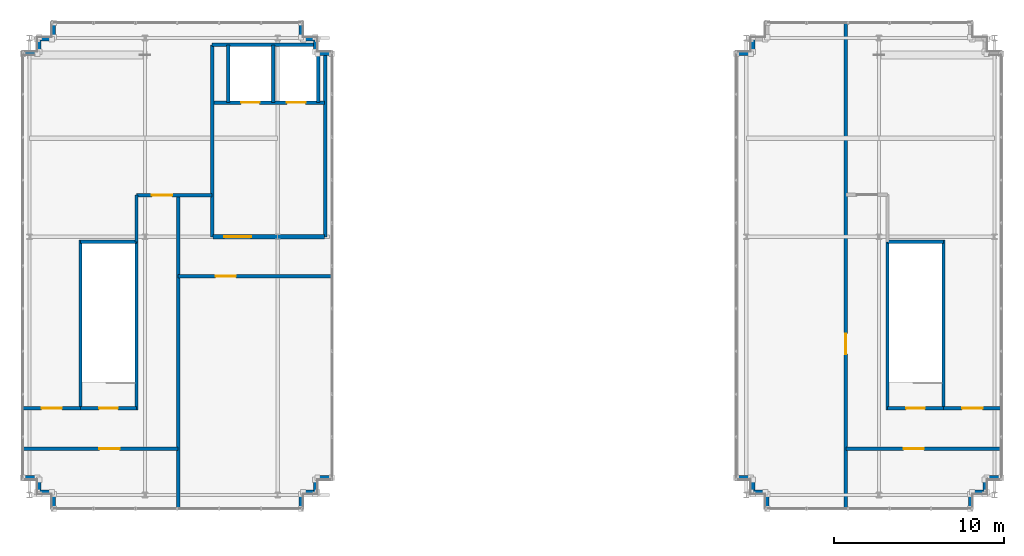
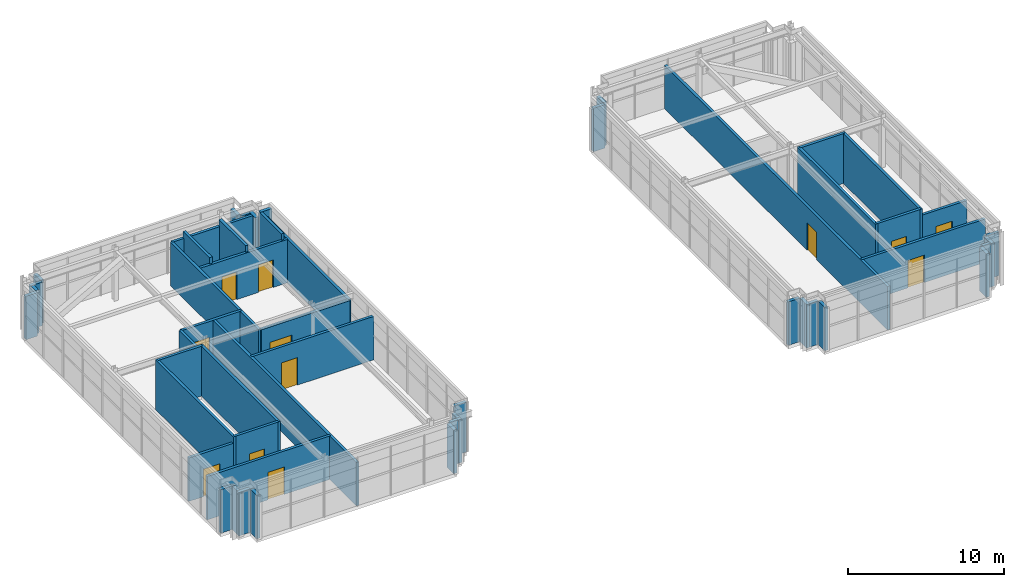
# One storey, part 23 of 25: 51 walls, 12 doors, 12 openings.
"""IFC4 building model written with IfcOpenShell, lengths in metres."""

import ifcopenshell
import ifcopenshell.guid

model = None  # the IFC model being written
_history = None  # IfcOwnerHistory: only IFC2X3 demands one
_inside = {}  # id of a spatial element -> (the spatial element, [elements in it])
_under = {}  # id of a project, library or spatial element -> (it, [spatial elements below it])
_declared = {}  # id of a project -> (the project, [libraries it declares])
_typed = {}  # id of a type object -> (the type object, [elements of that type])
_made_of = {}  # id of a material, layer set ... -> (it, [elements and type objects made of it])


def new_model(schema):
    """Start an empty IFC model of exactly this schema.

    Asked for "IFC4X3", IfcOpenShell would pick the latest addendum, in which some entities
    have other attributes; the version numbers below select the first issue.
    IFC2X3 requires an IfcOwnerHistory on every rooted entity: one is made here for all.
    """
    global model, _history
    if schema == "IFC4X3":
        model = ifcopenshell.file(schema_version=(4, 3, 0, 0))
    else:
        model = ifcopenshell.file(schema=schema)
    _inside.clear()
    _under.clear()
    _declared.clear()
    _typed.clear()
    _made_of.clear()
    _history = None
    if model.schema == "IFC2X3":
        org = make("IfcOrganization", Name="unknown")
        user = make(
            "IfcPersonAndOrganization",
            ThePerson=make("IfcPerson", FamilyName="unknown"),
            TheOrganization=org,
        )
        app = make(
            "IfcApplication",
            ApplicationDeveloper=org,
            Version="unknown",
            ApplicationFullName="unknown",
            ApplicationIdentifier="unknown",
        )
        _history = make(
            "IfcOwnerHistory",
            OwningUser=user,
            OwningApplication=app,
            ChangeAction="ADDED",
            CreationDate=0,
        )
    return model


def make(cls, **values):
    """One entity of the class cls with the attributes given. An attribute that is None is left unset."""
    return model.create_entity(
        cls, **{name: value for name, value in values.items() if value is not None}
    )


def rooted(cls, **values):
    """An entity with a GlobalId (a new one), such as an element, a storey or a relation."""
    return make(cls, GlobalId=ifcopenshell.guid.new(), OwnerHistory=_history, **values)


def si_unit(unit_type, name, prefix=None):
    """IfcSIUnit, for example si_unit("LENGTHUNIT", "METRE", prefix="MILLI")."""
    return make("IfcSIUnit", UnitType=unit_type, Prefix=prefix, Name=name)


def assignment(units):
    """IfcUnitAssignment: the units of a project."""
    return None if units is None else make("IfcUnitAssignment", Units=units)


def point(xyz):
    """IfcCartesianPoint."""
    return None if xyz is None else make("IfcCartesianPoint", Coordinates=xyz)


def direction(xyz):
    """IfcDirection."""
    return None if xyz is None else make("IfcDirection", DirectionRatios=xyz)


def frame(location, z_axis=None, x_axis=None):
    """IfcAxis2Placement3D, a coordinate frame: its origin and axes. An axis left out is left unset."""
    return make(
        "IfcAxis2Placement3D",
        Location=point(location),
        Axis=direction(z_axis),
        RefDirection=direction(x_axis),
    )


def frame_2d(location, x_axis=None):
    """IfcAxis2Placement2D, a coordinate frame in the plane: its origin and x axis."""
    return make(
        "IfcAxis2Placement2D", Location=point(location), RefDirection=direction(x_axis)
    )


def origin():
    """The frame at (0, 0, 0) with its axes left unset."""
    return frame((0.0, 0.0, 0.0))


def place(relative_to, where):
    """IfcLocalPlacement: puts the frame where relative to a parent placement (None: the world)."""
    return make(
        "IfcLocalPlacement", PlacementRelTo=relative_to, RelativePlacement=where
    )


def context(
    kind, dimensions, precision=None, world=None, true_north=None, identifier=None
):
    """IfcGeometricRepresentationContext, for example the 3D "Model" context."""
    return make(
        "IfcGeometricRepresentationContext",
        ContextIdentifier=identifier,
        ContextType=kind,
        CoordinateSpaceDimension=dimensions,
        Precision=precision,
        WorldCoordinateSystem=world,
        TrueNorth=true_north,
    )


def subcontext(parent, identifier, kind, view, scale=None):
    """IfcGeometricRepresentationSubContext, for example "Body" below "Model"."""
    return make(
        "IfcGeometricRepresentationSubContext",
        ContextIdentifier=identifier,
        ContextType=kind,
        ParentContext=parent,
        TargetScale=scale,
        TargetView=view,
    )


def project(units=None, contexts=None):
    """IfcProject with its units and contexts."""
    return rooted(
        "IfcProject",
        Name="project",
        RepresentationContexts=contexts,
        UnitsInContext=assignment(units),
    )


def spatial(cls, under=None, at=None, **own):
    """A site, building, storey or space (cls), placed at a placement, below another one or the project."""
    s = rooted(cls, ObjectPlacement=at, **own)
    if under is not None:
        _under.setdefault(under.id(), (under, []))[1].append(s)
    return s


def profile(cls, at=None, kind="AREA", **sizes):
    """A parametric profile (cls). Its sizes go by their IFC names, for example OverallWidth=200.0."""
    return make(cls, ProfileType=kind, Position=at, **sizes)


def rectangle(**sizes):
    """IfcRectangleProfileDef."""
    return profile("IfcRectangleProfileDef", **sizes)


def extrude(swept, where, along, depth):
    """IfcExtrudedAreaSolid: the profile swept, set in the frame where, extruded along a direction by depth."""
    return make(
        "IfcExtrudedAreaSolid",
        SweptArea=swept,
        Position=where,
        ExtrudedDirection=direction(along),
        Depth=depth,
    )


def shape(context_of_items, identifier, shape_type, items):
    """IfcShapeRepresentation: the items that make up one representation, for example the "Body"."""
    return make(
        "IfcShapeRepresentation",
        ContextOfItems=context_of_items,
        RepresentationIdentifier=identifier,
        RepresentationType=shape_type,
        Items=items,
    )


def source(mapping_origin, context_of_items, identifier, shape_type, items):
    """IfcRepresentationMap: a shape defined once, which mapped items show again and again."""
    return make(
        "IfcRepresentationMap",
        MappingOrigin=mapping_origin,
        MappedRepresentation=shape(context_of_items, identifier, shape_type, items),
    )


def transform(
    local_origin,
    x_axis=None,
    y_axis=None,
    z_axis=None,
    scale=None,
    scale2=None,
    scale3=None,
    uniform=True,
):
    """IfcCartesianTransformationOperator3D, or its non-uniform kind. x_axis, y_axis, z_axis: its Axis1, 2, 3."""
    if uniform:
        return make(
            "IfcCartesianTransformationOperator3D",
            Axis1=direction(x_axis),
            Axis2=direction(y_axis),
            LocalOrigin=point(local_origin),
            Scale=scale,
            Axis3=direction(z_axis),
        )
    return make(
        "IfcCartesianTransformationOperator3DnonUniform",
        Axis1=direction(x_axis),
        Axis2=direction(y_axis),
        LocalOrigin=point(local_origin),
        Scale=scale,
        Axis3=direction(z_axis),
        Scale2=scale2,
        Scale3=scale3,
    )


def mapped(mapping_source, mapping_target):
    """IfcMappedItem: shows the shape of a source again, moved by a transform."""
    return make(
        "IfcMappedItem", MappingSource=mapping_source, MappingTarget=mapping_target
    )


def material(Name=None, Category=None):
    """IfcMaterial."""
    return make("IfcMaterial", Name=Name, Category=Category)


def layer(
    of_material, thickness, ventilated=None, Name=None, Category=None, Priority=None
):
    """IfcMaterialLayer: one layer of a wall or slab, of a material (None: an air gap)."""
    return make(
        "IfcMaterialLayer",
        Material=of_material,
        LayerThickness=thickness,
        IsVentilated=ventilated,
        Name=Name,
        Category=Category,
        Priority=Priority,
    )


def layer_set(layers, Name=None):
    """IfcMaterialLayerSet."""
    return make("IfcMaterialLayerSet", MaterialLayers=layers, LayerSetName=Name)


def made_of(thing, what):
    """Note that an element or type object is made of a material, layer set ...; save() writes the relation."""
    if what is not None:
        _made_of.setdefault(what.id(), (what, []))[1].append(thing)
    return thing


def type_object(cls, material=None, **own):
    """A type object (cls), such as IfcWallType, which elements share."""
    return made_of(rooted(cls, **own), material)


def element(
    cls,
    number,
    at=None,
    inside=None,
    cuts=None,
    type_object=None,
    material=None,
    context=None,
    identifier="Body",
    shape_type=None,
    held_by="IfcProductDefinitionShape",
    body=None,
    shapes=None,
    **own,
):
    """One element of the class cls, such as IfcWall. Its Tag is "e" and its number.

    at: its placement. inside: the storey or other place that contains it. cuts: it is an
    opening in that element (IfcRelVoidsElement). A single representation is given by context,
    identifier, shape_type and body (its items); several are given by shapes. held_by: the class
    of the entity that holds the representations. save() writes the other relations.
    """
    e = rooted(cls, Tag="e%d" % number, ObjectPlacement=at, **own)
    if body is not None:
        shapes = [shape(context, identifier, shape_type, body)]
    if shapes is not None:
        e.Representation = make(held_by, Representations=shapes)
    if inside is not None:
        _inside.setdefault(inside.id(), (inside, []))[1].append(e)
    if cuts is not None:
        rooted(
            "IfcRelVoidsElement", RelatingBuildingElement=cuts, RelatedOpeningElement=e
        )
    if type_object is not None:
        _typed.setdefault(type_object.id(), (type_object, []))[1].append(e)
    return made_of(e, material)


def fill(opening, filler):
    """IfcRelFillsElement: the door or window that sits in an opening."""
    return rooted(
        "IfcRelFillsElement",
        RelatingOpeningElement=opening,
        RelatedBuildingElement=filler,
    )


def aggregate(whole, parts):
    """IfcRelAggregates: a whole, such as a stair, and the parts it consists of."""
    return rooted("IfcRelAggregates", RelatingObject=whole, RelatedObjects=parts)


def save(model, path):
    """Write the relations noted so far, then the file.

    IfcRelAggregates (storeys below a building ...), IfcRelContainedInSpatialStructure (elements
    in a storey), IfcRelDefinesByType, IfcRelAssociatesMaterial and IfcRelDeclares: one each for
    every whole, place, type object, material and project.
    """
    for whole, parts in _under.values():
        aggregate(whole, parts)
    for where, things in _inside.values():
        rooted(
            "IfcRelContainedInSpatialStructure",
            RelatedElements=things,
            RelatingStructure=where,
        )
    for kind, things in _typed.values():
        rooted("IfcRelDefinesByType", RelatedObjects=things, RelatingType=kind)
    for what, things in _made_of.values():
        rooted("IfcRelAssociatesMaterial", RelatedObjects=things, RelatingMaterial=what)
    for by, libraries in _declared.values():
        rooted("IfcRelDeclares", RelatingContext=by, RelatedDefinitions=libraries)
    model.write(path)


model = new_model("IFC4")

# Units and contexts
model_context = context("Model", 3, precision=1e-05, world=origin(), true_north=direction((0.0, 1.0)))
body_context = subcontext(model_context, "Body", "Model", "MODEL_VIEW")
ifc_project = project(units=[si_unit("LENGTHUNIT", "METRE"), si_unit("AREAUNIT", "SQUARE_METRE"), si_unit("VOLUMEUNIT", "CUBIC_METRE"), si_unit("PLANEANGLEUNIT", "RADIAN"), si_unit("MASSUNIT", "GRAM", prefix="KILO")], contexts=[model_context])

# Site, building, storey
site_placement = place(None, origin())
site = spatial("IfcSite", under=ifc_project, at=site_placement, CompositionType="ELEMENT")
building_placement = place(site_placement, origin())
building = spatial("IfcBuilding", under=site, at=building_placement, Name="Trelvane Seafront Commons", CompositionType="ELEMENT")
storey_placement = place(building_placement, frame((0.0, 0.0, 320.89990234375)))
storey = spatial("IfcBuildingStorey", under=building, at=storey_placement, Name="L83", CompositionType="ELEMENT", Elevation=320.89990234375)

# Walls
ifc_material_1 = material(Name="Precast concrete C40/50", Category="concrete")
ifc_layer_1 = layer(ifc_material_1, 0.239990234375, Name="ARCH-WALL-EXT240")
ifc_layer_set_1 = layer_set([ifc_layer_1], Name="Precast concrete C40/50")
wall_type_1 = type_object("IfcWallType", Name="ARCH-WALL-EXT240", PredefinedType="SOLIDWALL", material=ifc_layer_set_1)
for number, where, z_axis, x_axis, name in (
    (1, (10.10009765625, 18.3701171875, 0.0), (0.0, 0.0, 1.0), (-1.0, 0.0, 0.0), "EW-L83-CRN-01791"),
    (2, (9.3701171875, 18.25, 0.0), (0.0, 0.0, 1.0), (0.0, 1.0, 0.0), "EW-L83-CRN-01792"),
    (3, (9.25, 19.219970703125, 0.0), (0.0, 0.0, 1.0), (-1.0, 0.0, 0.0), "EW-L83-CRN-01793"),
    (4, (8.39990234375, 44.179931640625, 0.0), (0.0, 0.0, 1.0), (1.0, 0.0, 0.0), "EW-L83-CRN-01794"),
):
    element("IfcWall", number, at=place(storey_placement, frame(where, z_axis=z_axis, x_axis=x_axis)), inside=storey, type_object=wall_type_1, Name=name, PredefinedType="SOLIDWALL", context=body_context, shape_type="SweptSolid", body=[
        extrude(rectangle(XDim=0.85009765625, YDim=0.239990234375, at=frame_2d((0.425048828125, 0.0))), origin(), (0.0, 0.0, 1.0), 3.400146484375),
    ])
wall_1_placement = place(storey_placement, frame((9.3701171875, 44.300048828125, 0.0), z_axis=(0.0, 0.0, 1.0), x_axis=(0.0, 1.0, 0.0)))
element("IfcWall", 5, at=wall_1_placement, inside=storey, type_object=wall_type_1, Name="EW-L83-CRN-01795", PredefinedType="SOLIDWALL", context=body_context, shape_type="SweptSolid", body=[
    extrude(rectangle(XDim=0.849853515625, YDim=0.239990234375, at=frame_2d((0.4248046875, 0.0))), origin(), (0.0, 0.0, 1.0), 3.400146484375),
])
for number, where, z_axis, x_axis, name in (
    (6, (9.25, 45.030029296875, 0.0), (0.0, 0.0, 1.0), (1.0, 0.0, 0.0), "EW-L83-CRN-01796"),
    (7, (10.219970703125, 45.14990234375, 0.0), (0.0, 0.0, 1.0), (0.0, 1.0, 0.0), "EW-L83-CRN-01797"),
    (8, (24.780029296875, 46.0, 0.0), (0.0, 0.0, 1.0), (0.0, -1.0, 0.0), "EW-L83-CRN-01798"),
    (9, (24.89990234375, 45.030029296875, 0.0), (0.0, 0.0, 1.0), (1.0, 0.0, 0.0), "EW-L83-CRN-01799"),
):
    element("IfcWall", number, at=place(storey_placement, frame(where, z_axis=z_axis, x_axis=x_axis)), inside=storey, type_object=wall_type_1, Name=name, PredefinedType="SOLIDWALL", context=body_context, shape_type="SweptSolid", body=[
        extrude(rectangle(XDim=0.85009765625, YDim=0.239990234375, at=frame_2d((0.425048828125, 0.0))), origin(), (0.0, 0.0, 1.0), 3.400146484375),
    ])
wall_2_placement = place(storey_placement, frame((25.6298828125, 45.14990234375, 0.0), z_axis=(0.0, 0.0, 1.0), x_axis=(0.0, -1.0, 0.0)))
element("IfcWall", 10, at=wall_2_placement, inside=storey, type_object=wall_type_1, Name="EW-L83-CRN-01800", PredefinedType="SOLIDWALL", context=body_context, shape_type="SweptSolid", body=[
    extrude(rectangle(XDim=0.849853515625, YDim=0.239990234375, at=frame_2d((0.4248046875, 0.0))), origin(), (0.0, 0.0, 1.0), 3.400146484375),
])
for number, where, z_axis, x_axis, name in (
    (11, (25.75, 44.179931640625, 0.0), (0.0, 0.0, 1.0), (1.0, 0.0, 0.0), "EW-L83-CRN-01801"),
    (12, (26.60009765625, 19.219970703125, 0.0), (0.0, 0.0, 1.0), (-1.0, 0.0, 0.0), "EW-L83-CRN-01802"),
):
    element("IfcWall", number, at=place(storey_placement, frame(where, z_axis=z_axis, x_axis=x_axis)), inside=storey, type_object=wall_type_1, Name=name, PredefinedType="SOLIDWALL", context=body_context, shape_type="SweptSolid", body=[
        extrude(rectangle(XDim=0.85009765625, YDim=0.239990234375, at=frame_2d((0.425048828125, 0.0))), origin(), (0.0, 0.0, 1.0), 3.900146484375),
    ])
for number, where, z_axis, x_axis, name in (
    (13, (25.6298828125, 19.10009765625, 0.0), (0.0, 0.0, 1.0), (0.0, -1.0, 0.0), "EW-L83-CRN-01803"),
    (14, (25.75, 18.3701171875, 0.0), (0.0, 0.0, 1.0), (-1.0, 0.0, 0.0), "EW-L83-CRN-01804"),
    (15, (24.780029296875, 18.25, 0.0), (0.0, 0.0, 1.0), (0.0, -1.0, 0.0), "EW-L83-CRN-01805"),
    (16, (10.219970703125, 17.39990234375, 0.0), (0.0, 0.0, 1.0), (0.0, 1.0, 0.0), "EW-L83-CRN-01806"),
    (17, (52.10009765625, 18.3701171875, 0.0), (0.0, 0.0, 1.0), (-1.0, 0.0, 0.0), "EW-L83-CRN-01807"),
    (18, (51.3701171875, 18.25, 0.0), (0.0, 0.0, 1.0), (0.0, 1.0, 0.0), "EW-L83-CRN-01808"),
    (19, (51.25, 19.219970703125, 0.0), (0.0, 0.0, 1.0), (-1.0, 0.0, 0.0), "EW-L83-CRN-01809"),
    (20, (50.39990234375, 44.179931640625, 0.0), (0.0, 0.0, 1.0), (1.0, 0.0, 0.0), "EW-L83-CRN-01810"),
):
    element("IfcWall", number, at=place(storey_placement, frame(where, z_axis=z_axis, x_axis=x_axis)), inside=storey, type_object=wall_type_1, Name=name, PredefinedType="SOLIDWALL", context=body_context, shape_type="SweptSolid", body=[
        extrude(rectangle(XDim=0.85009765625, YDim=0.239990234375, at=frame_2d((0.425048828125, 0.0))), origin(), (0.0, 0.0, 1.0), 3.400146484375),
    ])
wall_3_placement = place(storey_placement, frame((51.3701171875, 44.300048828125, 0.0), z_axis=(0.0, 0.0, 1.0), x_axis=(0.0, 1.0, 0.0)))
element("IfcWall", 21, at=wall_3_placement, inside=storey, type_object=wall_type_1, Name="EW-L83-CRN-01811", PredefinedType="SOLIDWALL", context=body_context, shape_type="SweptSolid", body=[
    extrude(rectangle(XDim=0.849853515625, YDim=0.239990234375, at=frame_2d((0.4248046875, 0.0))), origin(), (0.0, 0.0, 1.0), 3.400146484375),
])
for number, where, z_axis, x_axis, name in (
    (22, (66.0, 19.219970703125, 0.0), (0.0, 0.0, 1.0), (-1.0, 0.0, 0.0), "EW-L83-CRN-01818"),
    (23, (65.030029296875, 19.10009765625, 0.0), (0.0, 0.0, 1.0), (0.0, -1.0, 0.0), "EW-L83-CRN-01819"),
):
    element("IfcWall", number, at=place(storey_placement, frame(where, z_axis=z_axis, x_axis=x_axis)), inside=storey, type_object=wall_type_1, Name=name, PredefinedType="SOLIDWALL", context=body_context, shape_type="SweptSolid", body=[
        extrude(rectangle(XDim=0.85009765625, YDim=0.239990234375, at=frame_2d((0.425048828125, 0.0))), origin(), (0.0, 0.0, 1.0), 3.400146484375),
    ])
wall_4_placement = place(storey_placement, frame((65.14990234375, 18.3701171875, 0.0), z_axis=(0.0, 0.0, 1.0), x_axis=(-1.0, 0.0, 0.0)))
element("IfcWall", 24, at=wall_4_placement, inside=storey, type_object=wall_type_1, Name="EW-L83-CRN-01820", PredefinedType="SOLIDWALL", context=body_context, shape_type="SweptSolid", body=[
    extrude(rectangle(XDim=0.849853515625, YDim=0.239990234375, at=frame_2d((0.4248046875, 0.0))), origin(), (0.0, 0.0, 1.0), 3.400146484375),
])
for number, where, z_axis, x_axis, name in (
    (25, (64.179931640625, 18.25, 0.0), (0.0, 0.0, 1.0), (0.0, -1.0, 0.0), "EW-L83-CRN-01821"),
    (26, (52.219970703125, 17.39990234375, 0.0), (0.0, 0.0, 1.0), (0.0, 1.0, 0.0), "EW-L83-CRN-01822"),
):
    element("IfcWall", number, at=place(storey_placement, frame(where, z_axis=z_axis, x_axis=x_axis)), inside=storey, type_object=wall_type_1, Name=name, PredefinedType="SOLIDWALL", context=body_context, shape_type="SweptSolid", body=[
        extrude(rectangle(XDim=0.85009765625, YDim=0.239990234375, at=frame_2d((0.425048828125, 0.0))), origin(), (0.0, 0.0, 1.0), 3.400146484375),
    ])
ifc_material_2 = material(Name="Concrete C40/50", Category="concrete")
ifc_layer_2 = layer(ifc_material_2, 0.199951171875, Name="ARCH-WALL-FIRE200")
ifc_layer_set_2 = layer_set([ifc_layer_2], Name="Concrete C40/50")
wall_type_2 = type_object("IfcWallType", Name="ARCH-WALL-FIRE200", PredefinedType="PARTITIONING", material=ifc_layer_set_2)
wall_5_placement = place(storey_placement, frame((19.550048828125, 33.39990234375, 0.0), z_axis=(0.0, 0.0, 1.0), x_axis=(0.0, 1.0, 0.0)))
element("IfcWall", 27, at=wall_5_placement, inside=storey, type_object=wall_type_2, Name="W-L83-FFL-WEST-CR-009", PredefinedType="PARTITIONING", context=body_context, shape_type="SweptSolid", body=[
    extrude(rectangle(XDim=11.300048828125, YDim=0.199951171875, at=frame_2d((5.64990234375, 0.0))), origin(), (0.0, 0.0, 1.0), 3.400146484375),
])
wall_6_placement = place(storey_placement, frame((19.550048828125, 44.699951171875, 0.0), z_axis=(0.0, 0.0, 1.0), x_axis=(1.0, 0.0, 0.0)))
element("IfcWall", 28, at=wall_6_placement, inside=storey, type_object=wall_type_2, Name="W-L83-FFL-NORTH-CR-010", PredefinedType="PARTITIONING", context=body_context, shape_type="SweptSolid", body=[
    extrude(rectangle(XDim=6.079833984375, YDim=0.199951171875, at=frame_2d((3.0400390625, 0.0))), origin(), (0.0, 0.0, 1.0), 3.400146484375),
])

# Wall, opening, door
wall_7_placement = place(storey_placement, frame((17.550048828125, 31.080078125, 0.0), z_axis=(0.0, 0.0, 1.0), x_axis=(1.0, 0.0, 0.0)))
wall_7 = element("IfcWall", 29, at=wall_7_placement, inside=storey, type_object=wall_type_2, Name="W-L83-CRNW-N-017", PredefinedType="PARTITIONING", context=body_context, shape_type="SweptSolid", body=[
    extrude(rectangle(XDim=9.0400390625, YDim=0.199951171875, at=frame_2d((4.52001953125, 0.0))), origin(), (0.0, 0.0, 1.0), 3.400146484375),
])
opening_1_placement = place(wall_7_placement, frame((2.199951171875, 0.0, 0.0)))
opening_1 = element("IfcOpeningElement", 30, at=opening_1_placement, cuts=wall_7, Name="Opening FD-L83-06", PredefinedType="OPENING", context=body_context, shape_type="SweptSolid", body=[
    extrude(rectangle(XDim=1.199951171875, YDim=2.14990234375, at=frame_2d((0.60009765625, 1.074951171875))), frame((0.0, 0.10986328125, 0.0), z_axis=(0.0, -1.0, 0.0), x_axis=(1.0, 0.0, 0.0)), (0.0, 0.0, 1.0), 0.219970703125),
])
ifc_material_3 = material(Name="Powder-coated aluminium frame", Category="aluminium")
door_type_1 = type_object("IfcDoorType", Name="ARCH-DR-FD60-1200", OperationType="NOTDEFINED", PredefinedType="DOOR", material=ifc_material_3)
shared_shape_1 = source(origin(), body_context, "Body", "SweptSolid", [
    extrude(rectangle(XDim=1.199951171875, YDim=2.14990234375, at=frame_2d((0.60009765625, 1.074951171875))), frame((0.0, 0.02490234375, 0.0), z_axis=(0.0, -1.0, 0.0), x_axis=(1.0, 0.0, 0.0)), (0.0, 0.0, 1.0), 0.050048828125),
])
door_1_placement = place(opening_1_placement, origin())
door_1 = element("IfcDoor", 31, at=door_1_placement, inside=storey, type_object=door_type_1, Name="L83 West AHU Plant Door", OperationType="SINGLE_SWING_RIGHT", OverallHeight=2.14990234375, OverallWidth=1.199951171875, PredefinedType="DOOR", context=body_context, shape_type="MappedRepresentation", body=[
    mapped(shared_shape_1, transform((0.0, 0.0, 0.0), x_axis=(1.0, 0.0, 0.0), y_axis=(0.0, 1.0, 0.0), z_axis=(0.0, 0.0, 1.0), scale=1.0)),
])
fill(opening_1, door_1)

# Wall
wall_8_placement = place(storey_placement, frame((17.550048828125, 17.409912109375, 0.0), z_axis=(0.0, 0.0, 1.0), x_axis=(0.0, 1.0, 0.0)))
element("IfcWall", 32, at=wall_8_placement, inside=storey, type_object=wall_type_2, Name="W-L83-CRNW-E-018", PredefinedType="PARTITIONING", context=body_context, shape_type="SweptSolid", body=[
    extrude(rectangle(XDim=18.440185546875, YDim=0.199951171875, at=frame_2d((9.22021484375, 0.0))), origin(), (0.0, 0.0, 1.0), 3.400146484375),
])

# Wall, opening, door
wall_9_placement = place(storey_placement, frame((8.409912109375, 20.919921875, 0.0), z_axis=(0.0, 0.0, 1.0), x_axis=(1.0, 0.0, 0.0)))
wall_9 = element("IfcWall", 33, at=wall_9_placement, inside=storey, type_object=wall_type_2, Name="W-L83-CRNW-S-019", PredefinedType="PARTITIONING", context=body_context, shape_type="SweptSolid", body=[
    extrude(rectangle(XDim=9.14013671875, YDim=0.199951171875, at=frame_2d((4.570068359375, 0.0))), origin(), (0.0, 0.0, 1.0), 3.400146484375),
])
opening_2_placement = place(wall_9_placement, frame((4.5, 0.0, 0.0)))
opening_2 = element("IfcOpeningElement", 34, at=opening_2_placement, cuts=wall_9, Name="Opening FD-L83-07", PredefinedType="OPENING", context=body_context, shape_type="SweptSolid", body=[
    extrude(rectangle(XDim=1.199951171875, YDim=2.14990234375, at=frame_2d((0.60009765625, 1.074951171875))), frame((0.0, 0.10986328125, 0.0), z_axis=(0.0, -1.0, 0.0), x_axis=(1.0, 0.0, 0.0)), (0.0, 0.0, 1.0), 0.219970703125),
])
door_2_placement = place(opening_2_placement, origin())
door_2 = element("IfcDoor", 35, at=door_2_placement, inside=storey, type_object=door_type_1, Name="L83 Emergency Power Room Door", OperationType="SINGLE_SWING_LEFT", OverallHeight=2.14990234375, OverallWidth=1.199951171875, PredefinedType="DOOR", context=body_context, shape_type="MappedRepresentation", body=[
    mapped(shared_shape_1, transform((0.0, 0.0, 0.0), x_axis=(1.0, 0.0, 0.0), y_axis=(0.0, 1.0, 0.0), z_axis=(0.0, 0.0, 1.0), scale=1.0)),
])
fill(opening_2, door_2)

wall_10_placement = place(storey_placement, frame((8.409912109375, 23.300048828125, 0.0), z_axis=(0.0, 0.0, 1.0), x_axis=(1.0, 0.0, 0.0)))
wall_10 = element("IfcWall", 36, at=wall_10_placement, inside=storey, type_object=wall_type_2, Name="W-L83-CRNW-WCT-020", PredefinedType="PARTITIONING", context=body_context, shape_type="SweptSolid", body=[
    extrude(rectangle(XDim=3.39013671875, YDim=0.199951171875, at=frame_2d((1.695068359375, 0.0))), origin(), (0.0, 0.0, 1.0), 3.400146484375),
])
opening_3_placement = place(wall_10_placement, frame((1.10009765625, 0.0, 0.0)))
opening_3 = element("IfcOpeningElement", 37, at=opening_3_placement, cuts=wall_10, Name="Opening FD-L83-08", PredefinedType="OPENING", context=body_context, shape_type="SweptSolid", body=[
    extrude(rectangle(XDim=1.199951171875, YDim=2.14990234375, at=frame_2d((0.60009765625, 1.074951171875))), frame((0.0, 0.10986328125, 0.0), z_axis=(0.0, -1.0, 0.0), x_axis=(1.0, 0.0, 0.0)), (0.0, 0.0, 1.0), 0.219970703125),
])
door_3_placement = place(opening_3_placement, origin())
door_3 = element("IfcDoor", 38, at=door_3_placement, inside=storey, type_object=door_type_1, Name="L83 Cooling Tower Hall Door", OperationType="SINGLE_SWING_RIGHT", OverallHeight=2.14990234375, OverallWidth=1.199951171875, PredefinedType="DOOR", context=body_context, shape_type="MappedRepresentation", body=[
    mapped(shared_shape_1, transform((0.0, 0.0, 0.0), x_axis=(1.0, 0.0, 0.0), y_axis=(0.0, 1.0, 0.0), z_axis=(0.0, 0.0, 1.0), scale=1.0)),
])
fill(opening_3, door_3)

wall_11_placement = place(storey_placement, frame((15.10009765625, 35.85009765625, 0.0), z_axis=(0.0, 0.0, 1.0), x_axis=(1.0, 0.0, 0.0)))
wall_11 = element("IfcWall", 39, at=wall_11_placement, inside=storey, type_object=wall_type_2, Name="W-L83-CRNW-SPN-021", PredefinedType="PARTITIONING", context=body_context, shape_type="SweptSolid", body=[
    extrude(rectangle(XDim=4.449951171875, YDim=0.199951171875, at=frame_2d((2.22509765625, 0.0))), origin(), (0.0, 0.0, 1.0), 3.400146484375),
])
opening_4_placement = place(wall_11_placement, frame((0.89990234375, 0.0, 0.0)))
opening_4 = element("IfcOpeningElement", 40, at=opening_4_placement, cuts=wall_11, Name="Opening FD-L83-09", PredefinedType="OPENING", context=body_context, shape_type="SweptSolid", body=[
    extrude(rectangle(XDim=1.199951171875, YDim=2.14990234375, at=frame_2d((0.60009765625, 1.074951171875))), frame((0.0, 0.10986328125, 0.0), z_axis=(0.0, -1.0, 0.0), x_axis=(1.0, 0.0, 0.0)), (0.0, 0.0, 1.0), 0.219970703125),
])
door_4_placement = place(opening_4_placement, origin())
door_4 = element("IfcDoor", 41, at=door_4_placement, inside=storey, type_object=door_type_1, Name="L83 Door 09", OperationType="SINGLE_SWING_LEFT", OverallHeight=2.14990234375, OverallWidth=1.199951171875, PredefinedType="DOOR", context=body_context, shape_type="MappedRepresentation", body=[
    mapped(shared_shape_1, transform((0.0, 0.0, 0.0), x_axis=(1.0, 0.0, 0.0), y_axis=(0.0, 1.0, 0.0), z_axis=(0.0, 0.0, 1.0), scale=1.0)),
])
fill(opening_4, door_4)

# Wall
wall_12_placement = place(storey_placement, frame((15.10009765625, 33.10009765625, 0.0), z_axis=(0.0, 0.0, 1.0), x_axis=(0.0, 1.0, 0.0)))
element("IfcWall", 42, at=wall_12_placement, inside=storey, type_object=wall_type_2, Name="W-L83-CRNW-SPW-022", PredefinedType="PARTITIONING", context=body_context, shape_type="SweptSolid", body=[
    extrude(rectangle(XDim=2.75, YDim=0.199951171875, at=frame_2d((1.375, 0.0))), origin(), (0.0, 0.0, 1.0), 3.400146484375),
])

# Wall, opening, door
wall_13_placement = place(storey_placement, frame((56.85009765625, 17.409912109375, 0.0), z_axis=(0.0, 0.0, 1.0), x_axis=(0.0, 1.0, 0.0)))
wall_13 = element("IfcWall", 43, at=wall_13_placement, inside=storey, type_object=wall_type_2, Name="W-L83-CRNE-W-023", PredefinedType="PARTITIONING", context=body_context, shape_type="SweptSolid", body=[
    extrude(rectangle(XDim=28.580078125, YDim=0.199951171875, at=frame_2d((14.2900390625, 0.0))), origin(), (0.0, 0.0, 1.0), 3.400146484375),
])
opening_5_placement = place(wall_13_placement, frame((9.090087890625, 0.0, 0.0)))
opening_5 = element("IfcOpeningElement", 44, at=opening_5_placement, cuts=wall_13, Name="Opening FD-L83-10", PredefinedType="OPENING", context=body_context, shape_type="SweptSolid", body=[
    extrude(rectangle(XDim=1.199951171875, YDim=2.14990234375, at=frame_2d((0.60009765625, 1.074951171875))), frame((0.0, 0.10986328125, 0.0), z_axis=(0.0, -1.0, 0.0), x_axis=(1.0, 0.0, 0.0)), (0.0, 0.0, 1.0), 0.219970703125),
])
door_5_placement = place(opening_5_placement, origin())
door_5 = element("IfcDoor", 45, at=door_5_placement, inside=storey, type_object=door_type_1, Name="L83 Break Tank Room Door", OperationType="SINGLE_SWING_RIGHT", OverallHeight=2.14990234375, OverallWidth=1.199951171875, PredefinedType="DOOR", context=body_context, shape_type="MappedRepresentation", body=[
    mapped(shared_shape_1, transform((0.0, 0.0, 0.0), x_axis=(1.0, 0.0, 0.0), y_axis=(0.0, 1.0, 0.0), z_axis=(0.0, 0.0, 1.0), scale=1.0)),
])
fill(opening_5, door_5)

wall_14_placement = place(storey_placement, frame((56.85009765625, 20.919921875, 0.0), z_axis=(0.0, 0.0, 1.0), x_axis=(1.0, 0.0, 0.0)))
wall_14 = element("IfcWall", 46, at=wall_14_placement, inside=storey, type_object=wall_type_2, Name="W-L83-CRNE-S-024", PredefinedType="PARTITIONING", context=body_context, shape_type="SweptSolid", body=[
    extrude(rectangle(XDim=9.139892578125, YDim=0.199951171875, at=frame_2d((4.56982421875, 0.0))), origin(), (0.0, 0.0, 1.0), 3.400146484375),
])
opening_6_placement = place(wall_14_placement, frame((3.39990234375, 0.0, 0.0)))
opening_6 = element("IfcOpeningElement", 47, at=opening_6_placement, cuts=wall_14, Name="Opening FD-L83-11", PredefinedType="OPENING", context=body_context, shape_type="SweptSolid", body=[
    extrude(rectangle(XDim=1.199951171875, YDim=2.14990234375, at=frame_2d((0.60009765625, 1.074951171875))), frame((0.0, 0.10986328125, 0.0), z_axis=(0.0, -1.0, 0.0), x_axis=(1.0, 0.0, 0.0)), (0.0, 0.0, 1.0), 0.219970703125),
])
door_6_placement = place(opening_6_placement, origin())
door_6 = element("IfcDoor", 48, at=door_6_placement, inside=storey, type_object=door_type_1, Name="L83 Door 11", OperationType="SINGLE_SWING_LEFT", OverallHeight=2.14990234375, OverallWidth=1.199951171875, PredefinedType="DOOR", context=body_context, shape_type="MappedRepresentation", body=[
    mapped(shared_shape_1, transform((0.0, 0.0, 0.0), x_axis=(1.0, 0.0, 0.0), y_axis=(0.0, 1.0, 0.0), z_axis=(0.0, 0.0, 1.0), scale=1.0)),
])
fill(opening_6, door_6)

wall_15_placement = place(storey_placement, frame((62.60009765625, 23.300048828125, 0.0), z_axis=(0.0, 0.0, 1.0), x_axis=(1.0, 0.0, 0.0)))
wall_15 = element("IfcWall", 49, at=wall_15_placement, inside=storey, type_object=wall_type_2, Name="W-L83-CRNE-ETK-025", PredefinedType="PARTITIONING", context=body_context, shape_type="SweptSolid", body=[
    extrude(rectangle(XDim=3.389892578125, YDim=0.199951171875, at=frame_2d((1.69482421875, 0.0))), origin(), (0.0, 0.0, 1.0), 3.400146484375),
])
opening_7_placement = place(wall_15_placement, frame((1.10009765625, 0.0, 0.0)))
opening_7 = element("IfcOpeningElement", 50, at=opening_7_placement, cuts=wall_15, Name="Opening FD-L83-12", PredefinedType="OPENING", context=body_context, shape_type="SweptSolid", body=[
    extrude(rectangle(XDim=1.199951171875, YDim=2.14990234375, at=frame_2d((0.60009765625, 1.074951171875))), frame((0.0, 0.10986328125, 0.0), z_axis=(0.0, -1.0, 0.0), x_axis=(1.0, 0.0, 0.0)), (0.0, 0.0, 1.0), 0.219970703125),
])
door_7_placement = place(opening_7_placement, origin())
door_7 = element("IfcDoor", 51, at=door_7_placement, inside=storey, type_object=door_type_1, Name="L83 Door 12", OperationType="SINGLE_SWING_RIGHT", OverallHeight=2.14990234375, OverallWidth=1.199951171875, PredefinedType="DOOR", context=body_context, shape_type="MappedRepresentation", body=[
    mapped(shared_shape_1, transform((0.0, 0.0, 0.0), x_axis=(1.0, 0.0, 0.0), y_axis=(0.0, 1.0, 0.0), z_axis=(0.0, 0.0, 1.0), scale=1.0)),
])
fill(opening_7, door_7)

ifc_layer_3 = layer(ifc_material_2, 0.25, Name="ARCH-WALL-FIRE250")
ifc_layer_set_3 = layer_set([ifc_layer_3], Name="Concrete C40/50")
wall_type_3 = type_object("IfcWallType", Name="ARCH-WALL-FIRE250", PredefinedType="PARTITIONING", material=ifc_layer_set_3)
wall_16_placement = place(storey_placement, frame((19.60009765625, 33.39990234375, 0.0), z_axis=(0.0, 0.0, 1.0), x_axis=(1.0, 0.0, 0.0)))
wall_16 = element("IfcWall", 52, at=wall_16_placement, inside=storey, type_object=wall_type_3, Name="W-L83-CS-FFL-016", PredefinedType="PARTITIONING", context=body_context, shape_type="SweptSolid", body=[
    extrude(rectangle(XDim=6.5498046875, YDim=0.25, at=frame_2d((3.27490234375, 0.0))), origin(), (0.0, 0.0, 1.0), 3.400146484375),
])
opening_8_placement = place(wall_16_placement, frame((0.64990234375, 0.0, 0.0)))
opening_8 = element("IfcOpeningElement", 53, at=opening_8_placement, cuts=wall_16, Name="Opening FD-L83-05", PredefinedType="OPENING", context=body_context, shape_type="SweptSolid", body=[
    extrude(rectangle(XDim=1.60009765625, YDim=2.199951171875, at=frame_2d((0.800048828125, 1.10009765625))), frame((0.0, 0.135009765625, 0.0), z_axis=(0.0, -1.0, 0.0), x_axis=(1.0, 0.0, 0.0)), (0.0, 0.0, 1.0), 0.27001953125),
])
door_type_2 = type_object("IfcDoorType", Name="ARCH-DR-FD60-1600", OperationType="DOUBLE_DOOR_SINGLE_SWING", PredefinedType="DOOR", material=ifc_material_3)
shared_shape_2 = source(origin(), body_context, "Body", "SweptSolid", [
    extrude(rectangle(XDim=1.60009765625, YDim=2.199951171875, at=frame_2d((0.800048828125, 1.10009765625))), frame((0.0, 0.02490234375, 0.0), z_axis=(0.0, -1.0, 0.0), x_axis=(1.0, 0.0, 0.0)), (0.0, 0.0, 1.0), 0.050048828125),
])
door_8_placement = place(opening_8_placement, origin())
door_8 = element("IfcDoor", 54, at=door_8_placement, inside=storey, type_object=door_type_2, Name="L83 Firefighting Lift Lobby Double Fire Door", OperationType="DOUBLE_DOOR_SINGLE_SWING", OverallHeight=2.199951171875, OverallWidth=1.60009765625, PredefinedType="DOOR", context=body_context, shape_type="MappedRepresentation", body=[
    mapped(shared_shape_2, transform((0.0, 0.0, 0.0), x_axis=(1.0, 0.0, 0.0), y_axis=(0.0, 1.0, 0.0), z_axis=(0.0, 0.0, 1.0), scale=1.0)),
])
fill(opening_8, door_8)

# Wall, openings, doors
ifc_layer_4 = layer(ifc_material_2, 0.199951171875, Name="ARCH-WALL-SHAFT200")
ifc_layer_set_4 = layer_set([ifc_layer_4], Name="Concrete C40/50")
wall_type_4 = type_object("IfcWallType", Name="ARCH-WALL-SHAFT200", PredefinedType="SOLIDWALL", material=ifc_layer_set_4)
wall_17_placement = place(storey_placement, frame((19.64990234375, 41.300048828125, 0.0), z_axis=(0.0, 0.0, 1.0), x_axis=(1.0, 0.0, 0.0)))
wall_17 = element("IfcWall", 55, at=wall_17_placement, inside=storey, type_object=wall_type_4, Name="W-L83-FFL-FRONT-011", PredefinedType="SOLIDWALL", context=body_context, shape_type="SweptSolid", body=[
    extrude(rectangle(XDim=6.5, YDim=0.199951171875, at=frame_2d((3.25, 0.0))), origin(), (0.0, 0.0, 1.0), 3.400146484375),
])
opening_9_placement = place(wall_17_placement, frame((1.60009765625, 0.0, 0.0)))
opening_9 = element("IfcOpeningElement", 56, at=opening_9_placement, cuts=wall_17, Name="Opening LD-FF1-L83", PredefinedType="OPENING", context=body_context, shape_type="SweptSolid", body=[
    extrude(rectangle(XDim=1.10009765625, YDim=2.14990234375, at=frame_2d((0.550048828125, 1.074951171875))), frame((0.0, 0.10986328125, 0.0), z_axis=(0.0, -1.0, 0.0), x_axis=(1.0, 0.0, 0.0)), (0.0, 0.0, 1.0), 0.219970703125),
])
opening_10_placement = place(wall_17_placement, frame((4.300048828125, 0.0, 0.0)))
opening_10 = element("IfcOpeningElement", 57, at=opening_10_placement, cuts=wall_17, Name="Opening LD-FF2-L83", PredefinedType="OPENING", context=body_context, shape_type="SweptSolid", body=[
    extrude(rectangle(XDim=1.10009765625, YDim=2.14990234375, at=frame_2d((0.550048828125, 1.074951171875))), frame((0.0, 0.10986328125, 0.0), z_axis=(0.0, -1.0, 0.0), x_axis=(1.0, 0.0, 0.0)), (0.0, 0.0, 1.0), 0.219970703125),
])
ifc_material_4 = material(Name="Stainless steel balustrade", Category="steel")
door_type_3 = type_object("IfcDoorType", Name="ARCH-DR-LD1100", OperationType="DOUBLE_DOOR_SLIDING", PredefinedType="DOOR", material=ifc_material_4)
shared_shape_3 = source(origin(), body_context, "Body", "SweptSolid", [
    extrude(rectangle(XDim=1.10009765625, YDim=2.14990234375, at=frame_2d((0.550048828125, 1.074951171875))), frame((0.0, 0.02490234375, 0.0), z_axis=(0.0, -1.0, 0.0), x_axis=(1.0, 0.0, 0.0)), (0.0, 0.0, 1.0), 0.050048828125),
])
door_9_placement = place(opening_9_placement, origin())
door_9 = element("IfcDoor", 58, at=door_9_placement, inside=storey, type_object=door_type_3, Name="L83 Firefighting Lift FFL-1 Landing Door", OperationType="DOUBLE_DOOR_SLIDING", OverallHeight=2.14990234375, OverallWidth=1.10009765625, PredefinedType="DOOR", context=body_context, shape_type="MappedRepresentation", body=[
    mapped(shared_shape_3, transform((0.0, 0.0, 0.0), x_axis=(1.0, 0.0, 0.0), y_axis=(0.0, 1.0, 0.0), z_axis=(0.0, 0.0, 1.0), scale=1.0)),
])
fill(opening_9, door_9)
door_10_placement = place(opening_10_placement, origin())
door_10 = element("IfcDoor", 59, at=door_10_placement, inside=storey, type_object=door_type_3, Name="L83 Firefighting Lift FFL-2 Landing Door", OperationType="DOUBLE_DOOR_SLIDING", OverallHeight=2.14990234375, OverallWidth=1.10009765625, PredefinedType="DOOR", context=body_context, shape_type="MappedRepresentation", body=[
    mapped(shared_shape_3, transform((0.0, 0.0, 0.0), x_axis=(1.0, 0.0, 0.0), y_axis=(0.0, 1.0, 0.0), z_axis=(0.0, 0.0, 1.0), scale=1.0)),
])
fill(opening_10, door_10)

# Walls
for number, where, z_axis, x_axis, name in (
    (60, (20.5, 41.300048828125, 0.0), (0.0, 0.0, 1.0), (0.0, 1.0, 0.0), "W-L83-FFL-SH-W-012"),
    (61, (23.14990234375, 41.300048828125, 0.0), (0.0, 0.0, 1.0), (0.0, 1.0, 0.0), "W-L83-FFL-DIV-013"),
):
    element("IfcWall", number, at=place(storey_placement, frame(where, z_axis=z_axis, x_axis=x_axis)), inside=storey, type_object=wall_type_4, Name=name, PredefinedType="SOLIDWALL", context=body_context, shape_type="SweptSolid", body=[
        extrude(rectangle(XDim=3.39990234375, YDim=0.199951171875, at=frame_2d((1.699951171875, 0.0))), origin(), (0.0, 0.0, 1.0), 3.900146484375),
    ])
wall_18_placement = place(storey_placement, frame((25.800048828125, 41.300048828125, 0.0), z_axis=(0.0, 0.0, 1.0), x_axis=(0.0, 1.0, 0.0)))
element("IfcWall", 62, at=wall_18_placement, inside=storey, type_object=wall_type_4, Name="W-L83-FFL-SH-E-014", PredefinedType="SOLIDWALL", context=body_context, shape_type="SweptSolid", body=[
    extrude(rectangle(XDim=2.85986328125, YDim=0.199951171875, at=frame_2d((1.429931640625, 0.0))), origin(), (0.0, 0.0, 1.0), 3.900146484375),
])
wall_19_placement = place(storey_placement, frame((26.199951171875, 33.39990234375, 0.0), z_axis=(0.0, 0.0, 1.0), x_axis=(0.0, 1.0, 0.0)))
element("IfcWall", 63, at=wall_19_placement, inside=storey, type_object=wall_type_4, Name="W-L83-FFL-EAST-015", PredefinedType="SOLIDWALL", context=body_context, shape_type="SweptSolid", body=[
    extrude(rectangle(XDim=10.760009765625, YDim=0.199951171875, at=frame_2d((5.3798828125, 0.0))), origin(), (0.0, 0.0, 1.0), 3.400146484375),
])
ifc_material_5 = material(Name="Concrete C50/60", Category="concrete")
ifc_layer_5 = layer(ifc_material_5, 0.199951171875, Name="STR-WALL-STAIR200")
ifc_layer_set_5 = layer_set([ifc_layer_5], Name="Concrete C50/60")
wall_type_5 = type_object("IfcWallType", Name="STR-WALL-STAIR200", PredefinedType="SHEAR", material=ifc_layer_set_5)
for number, where, z_axis, x_axis, name in (
    (64, (11.800048828125, 23.199951171875, 0.0), (0.0, 0.0, 1.0), (0.0, 1.0, 0.0), "W-L83-ST5-W-001"),
    (65, (15.10009765625, 23.199951171875, 0.0), (0.0, 0.0, 1.0), (0.0, 1.0, 0.0), "W-L83-ST5-E-002"),
):
    element("IfcWall", number, at=place(storey_placement, frame(where, z_axis=z_axis, x_axis=x_axis)), inside=storey, type_object=wall_type_5, Name=name, PredefinedType="SHEAR", context=body_context, shape_type="SweptSolid", body=[
        extrude(rectangle(XDim=10.0, YDim=0.199951171875, at=frame_2d((5.0, 0.0))), origin(), (0.0, 0.0, 1.0), 3.900146484375),
    ])
wall_20_placement = place(storey_placement, frame((11.800048828125, 33.10009765625, 0.0), z_axis=(0.0, 0.0, 1.0), x_axis=(1.0, 0.0, 0.0)))
element("IfcWall", 66, at=wall_20_placement, inside=storey, type_object=wall_type_5, Name="W-L83-ST5-N-003", PredefinedType="SHEAR", context=body_context, shape_type="SweptSolid", body=[
    extrude(rectangle(XDim=3.300048828125, YDim=0.199951171875, at=frame_2d((1.64990234375, 0.0))), origin(), (0.0, 0.0, 1.0), 3.900146484375),
])

# Wall, opening, door
wall_21_placement = place(storey_placement, frame((11.800048828125, 23.300048828125, 0.0), z_axis=(0.0, 0.0, 1.0), x_axis=(1.0, 0.0, 0.0)))
wall_21 = element("IfcWall", 67, at=wall_21_placement, inside=storey, type_object=wall_type_5, Name="W-L83-ST5-S-004", PredefinedType="SHEAR", context=body_context, shape_type="SweptSolid", body=[
    extrude(rectangle(XDim=3.300048828125, YDim=0.199951171875, at=frame_2d((1.64990234375, 0.0))), origin(), (0.0, 0.0, 1.0), 3.900146484375),
])
opening_11_placement = place(wall_21_placement, frame((1.10009765625, 0.0, 0.0)))
opening_11 = element("IfcOpeningElement", 68, at=opening_11_placement, cuts=wall_21, Name="Opening ST-D-ST5-L83", PredefinedType="OPENING", context=body_context, shape_type="SweptSolid", body=[
    extrude(rectangle(XDim=1.10009765625, YDim=2.14990234375, at=frame_2d((0.550048828125, 1.074951171875))), frame((0.0, 0.10986328125, 0.0), z_axis=(0.0, -1.0, 0.0), x_axis=(1.0, 0.0, 0.0)), (0.0, 0.0, 1.0), 0.219970703125),
])
door_type_4 = type_object("IfcDoorType", Name="ARCH-DR-FD90-1100", OperationType="NOTDEFINED", PredefinedType="DOOR", material=ifc_material_3)
door_11_placement = place(opening_11_placement, origin())
door_11 = element("IfcDoor", 69, at=door_11_placement, inside=storey, type_object=door_type_4, Name="L83 Crown ST5 Fire Door", OperationType="SINGLE_SWING_LEFT", OverallHeight=2.14990234375, OverallWidth=1.10009765625, PredefinedType="DOOR", context=body_context, shape_type="MappedRepresentation", body=[
    mapped(shared_shape_3, transform((0.0, 0.0, 0.0), x_axis=(1.0, 0.0, 0.0), y_axis=(0.0, 1.0, 0.0), z_axis=(0.0, 0.0, 1.0), scale=1.0)),
])
fill(opening_11, door_11)

# Walls
for number, where, z_axis, x_axis, name in (
    (70, (59.300048828125, 23.199951171875, 0.0), (0.0, 0.0, 1.0), (0.0, 1.0, 0.0), "W-L83-ST6-W-005"),
    (71, (62.60009765625, 23.199951171875, 0.0), (0.0, 0.0, 1.0), (0.0, 1.0, 0.0), "W-L83-ST6-E-006"),
):
    element("IfcWall", number, at=place(storey_placement, frame(where, z_axis=z_axis, x_axis=x_axis)), inside=storey, type_object=wall_type_5, Name=name, PredefinedType="SHEAR", context=body_context, shape_type="SweptSolid", body=[
        extrude(rectangle(XDim=10.0, YDim=0.199951171875, at=frame_2d((5.0, 0.0))), origin(), (0.0, 0.0, 1.0), 3.900146484375),
    ])
wall_22_placement = place(storey_placement, frame((59.300048828125, 33.10009765625, 0.0), z_axis=(0.0, 0.0, 1.0), x_axis=(1.0, 0.0, 0.0)))
element("IfcWall", 72, at=wall_22_placement, inside=storey, type_object=wall_type_5, Name="W-L83-ST6-N-007", PredefinedType="SHEAR", context=body_context, shape_type="SweptSolid", body=[
    extrude(rectangle(XDim=3.300048828125, YDim=0.199951171875, at=frame_2d((1.64990234375, 0.0))), origin(), (0.0, 0.0, 1.0), 3.900146484375),
])

# Wall, opening, door
wall_23_placement = place(storey_placement, frame((59.300048828125, 23.300048828125, 0.0), z_axis=(0.0, 0.0, 1.0), x_axis=(1.0, 0.0, 0.0)))
wall_23 = element("IfcWall", 73, at=wall_23_placement, inside=storey, type_object=wall_type_5, Name="W-L83-ST6-S-008", PredefinedType="SHEAR", context=body_context, shape_type="SweptSolid", body=[
    extrude(rectangle(XDim=3.300048828125, YDim=0.199951171875, at=frame_2d((1.64990234375, 0.0))), origin(), (0.0, 0.0, 1.0), 3.900146484375),
])
opening_12_placement = place(wall_23_placement, frame((1.10009765625, 0.0, 0.0)))
opening_12 = element("IfcOpeningElement", 74, at=opening_12_placement, cuts=wall_23, Name="Opening ST-D-ST6-L83", PredefinedType="OPENING", context=body_context, shape_type="SweptSolid", body=[
    extrude(rectangle(XDim=1.10009765625, YDim=2.14990234375, at=frame_2d((0.550048828125, 1.074951171875))), frame((0.0, 0.10986328125, 0.0), z_axis=(0.0, -1.0, 0.0), x_axis=(1.0, 0.0, 0.0)), (0.0, 0.0, 1.0), 0.219970703125),
])
door_12_placement = place(opening_12_placement, origin())
door_12 = element("IfcDoor", 75, at=door_12_placement, inside=storey, type_object=door_type_4, Name="L83 Crown ST6 Fire Door", OperationType="SINGLE_SWING_RIGHT", OverallHeight=2.14990234375, OverallWidth=1.10009765625, PredefinedType="DOOR", context=body_context, shape_type="MappedRepresentation", body=[
    mapped(shared_shape_3, transform((0.0, 0.0, 0.0), x_axis=(1.0, 0.0, 0.0), y_axis=(0.0, 1.0, 0.0), z_axis=(0.0, 0.0, 1.0), scale=1.0)),
])
fill(opening_12, door_12)

save(model, "model.ifc")
